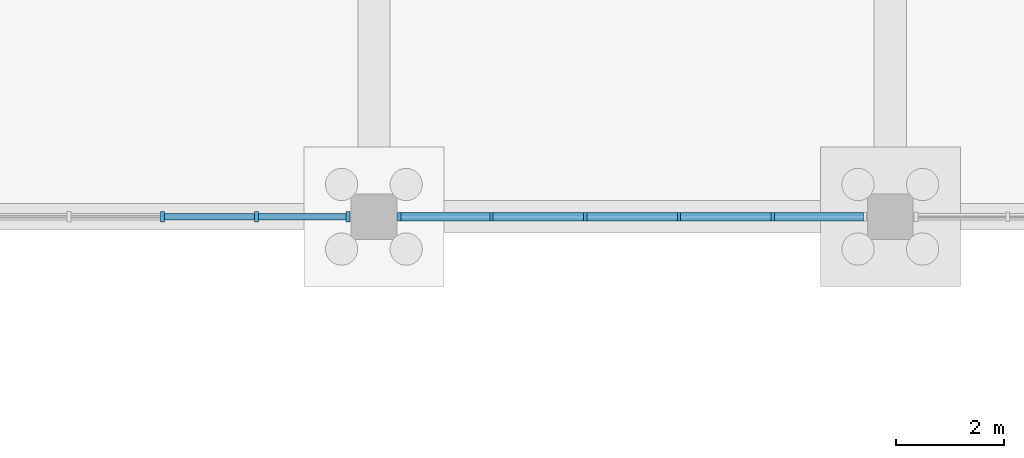
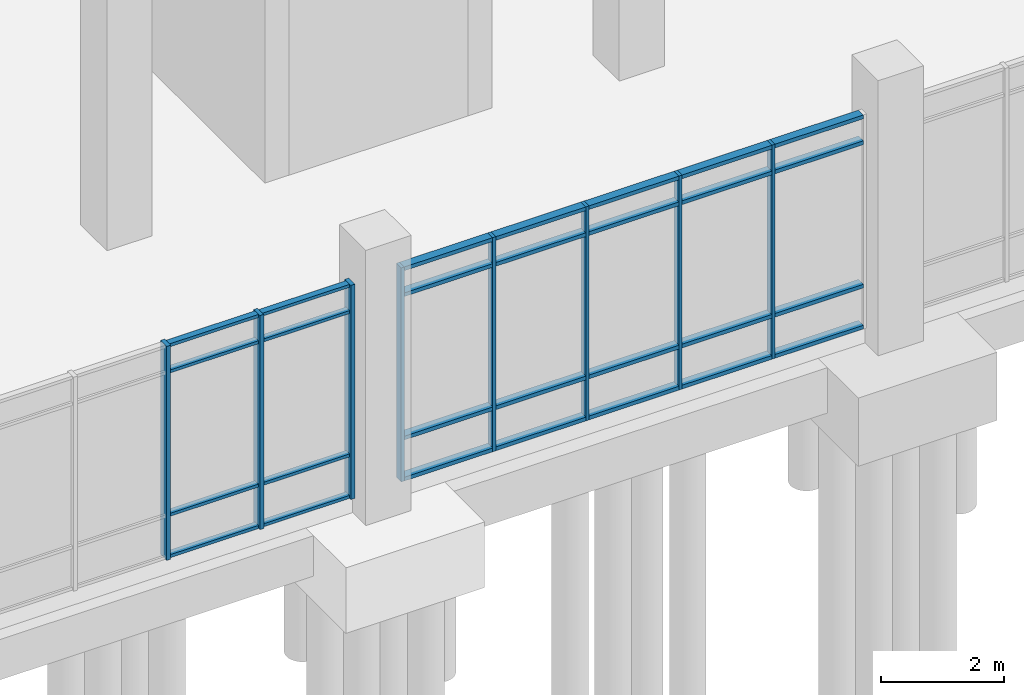
# One storey, part 42 of 136: 36 members, 2 elements without a shape of their own.
"""IFC4 building model written with IfcOpenShell, lengths in metres."""

import ifcopenshell
import ifcopenshell.guid

model = None  # the IFC model being written
_history = None  # IfcOwnerHistory: only IFC2X3 demands one
_inside = {}  # id of a spatial element -> (the spatial element, [elements in it])
_under = {}  # id of a project, library or spatial element -> (it, [spatial elements below it])
_declared = {}  # id of a project -> (the project, [libraries it declares])
_typed = {}  # id of a type object -> (the type object, [elements of that type])
_made_of = {}  # id of a material, layer set ... -> (it, [elements and type objects made of it])


def new_model(schema):
    """Start an empty IFC model of exactly this schema.

    Asked for "IFC4X3", IfcOpenShell would pick the latest addendum, in which some entities
    have other attributes; the version numbers below select the first issue.
    IFC2X3 requires an IfcOwnerHistory on every rooted entity: one is made here for all.
    """
    global model, _history
    if schema == "IFC4X3":
        model = ifcopenshell.file(schema_version=(4, 3, 0, 0))
    else:
        model = ifcopenshell.file(schema=schema)
    _inside.clear()
    _under.clear()
    _declared.clear()
    _typed.clear()
    _made_of.clear()
    _history = None
    if model.schema == "IFC2X3":
        org = make("IfcOrganization", Name="unknown")
        user = make(
            "IfcPersonAndOrganization",
            ThePerson=make("IfcPerson", FamilyName="unknown"),
            TheOrganization=org,
        )
        app = make(
            "IfcApplication",
            ApplicationDeveloper=org,
            Version="unknown",
            ApplicationFullName="unknown",
            ApplicationIdentifier="unknown",
        )
        _history = make(
            "IfcOwnerHistory",
            OwningUser=user,
            OwningApplication=app,
            ChangeAction="ADDED",
            CreationDate=0,
        )
    return model


def make(cls, **values):
    """One entity of the class cls with the attributes given. An attribute that is None is left unset."""
    return model.create_entity(
        cls, **{name: value for name, value in values.items() if value is not None}
    )


def rooted(cls, **values):
    """An entity with a GlobalId (a new one), such as an element, a storey or a relation."""
    return make(cls, GlobalId=ifcopenshell.guid.new(), OwnerHistory=_history, **values)


def si_unit(unit_type, name, prefix=None):
    """IfcSIUnit, for example si_unit("LENGTHUNIT", "METRE", prefix="MILLI")."""
    return make("IfcSIUnit", UnitType=unit_type, Prefix=prefix, Name=name)


def assignment(units):
    """IfcUnitAssignment: the units of a project."""
    return None if units is None else make("IfcUnitAssignment", Units=units)


def point(xyz):
    """IfcCartesianPoint."""
    return None if xyz is None else make("IfcCartesianPoint", Coordinates=xyz)


def direction(xyz):
    """IfcDirection."""
    return None if xyz is None else make("IfcDirection", DirectionRatios=xyz)


def frame(location, z_axis=None, x_axis=None):
    """IfcAxis2Placement3D, a coordinate frame: its origin and axes. An axis left out is left unset."""
    return make(
        "IfcAxis2Placement3D",
        Location=point(location),
        Axis=direction(z_axis),
        RefDirection=direction(x_axis),
    )


def frame_2d(location, x_axis=None):
    """IfcAxis2Placement2D, a coordinate frame in the plane: its origin and x axis."""
    return make(
        "IfcAxis2Placement2D", Location=point(location), RefDirection=direction(x_axis)
    )


def origin():
    """The frame at (0, 0, 0) with its axes left unset."""
    return frame((0.0, 0.0, 0.0))


def origin_2d():
    """The frame at (0, 0) in the plane with its x axis left unset."""
    return frame_2d((0.0, 0.0))


def place(relative_to, where):
    """IfcLocalPlacement: puts the frame where relative to a parent placement (None: the world)."""
    return make(
        "IfcLocalPlacement", PlacementRelTo=relative_to, RelativePlacement=where
    )


def context(
    kind, dimensions, precision=None, world=None, true_north=None, identifier=None
):
    """IfcGeometricRepresentationContext, for example the 3D "Model" context."""
    return make(
        "IfcGeometricRepresentationContext",
        ContextIdentifier=identifier,
        ContextType=kind,
        CoordinateSpaceDimension=dimensions,
        Precision=precision,
        WorldCoordinateSystem=world,
        TrueNorth=true_north,
    )


def subcontext(parent, identifier, kind, view, scale=None):
    """IfcGeometricRepresentationSubContext, for example "Body" below "Model"."""
    return make(
        "IfcGeometricRepresentationSubContext",
        ContextIdentifier=identifier,
        ContextType=kind,
        ParentContext=parent,
        TargetScale=scale,
        TargetView=view,
    )


def project(units=None, contexts=None):
    """IfcProject with its units and contexts."""
    return rooted(
        "IfcProject",
        Name="project",
        RepresentationContexts=contexts,
        UnitsInContext=assignment(units),
    )


def spatial(cls, under=None, at=None, **own):
    """A site, building, storey or space (cls), placed at a placement, below another one or the project."""
    s = rooted(cls, ObjectPlacement=at, **own)
    if under is not None:
        _under.setdefault(under.id(), (under, []))[1].append(s)
    return s


def profile(cls, at=None, kind="AREA", **sizes):
    """A parametric profile (cls). Its sizes go by their IFC names, for example OverallWidth=200.0."""
    return make(cls, ProfileType=kind, Position=at, **sizes)


def rectangle(**sizes):
    """IfcRectangleProfileDef."""
    return profile("IfcRectangleProfileDef", **sizes)


def extrude(swept, where, along, depth):
    """IfcExtrudedAreaSolid: the profile swept, set in the frame where, extruded along a direction by depth."""
    return make(
        "IfcExtrudedAreaSolid",
        SweptArea=swept,
        Position=where,
        ExtrudedDirection=direction(along),
        Depth=depth,
    )


def shape(context_of_items, identifier, shape_type, items):
    """IfcShapeRepresentation: the items that make up one representation, for example the "Body"."""
    return make(
        "IfcShapeRepresentation",
        ContextOfItems=context_of_items,
        RepresentationIdentifier=identifier,
        RepresentationType=shape_type,
        Items=items,
    )


def material(Name=None, Category=None):
    """IfcMaterial."""
    return make("IfcMaterial", Name=Name, Category=Category)


def material_profile(
    of_material, cross_section, Name=None, Category=None, Priority=None
):
    """IfcMaterialProfile: a cross section and its material."""
    return make(
        "IfcMaterialProfile",
        Name=Name,
        Material=of_material,
        Profile=cross_section,
        Priority=Priority,
        Category=Category,
    )


def profile_set(profiles, Name=None, composite=None):
    """IfcMaterialProfileSet."""
    return make(
        "IfcMaterialProfileSet",
        Name=Name,
        MaterialProfiles=profiles,
        CompositeProfile=composite,
    )


def made_of(thing, what):
    """Note that an element or type object is made of a material, layer set ...; save() writes the relation."""
    if what is not None:
        _made_of.setdefault(what.id(), (what, []))[1].append(thing)
    return thing


def type_object(cls, material=None, **own):
    """A type object (cls), such as IfcWallType, which elements share."""
    return made_of(rooted(cls, **own), material)


def element(
    cls,
    number,
    at=None,
    inside=None,
    cuts=None,
    type_object=None,
    material=None,
    context=None,
    identifier="Body",
    shape_type=None,
    held_by="IfcProductDefinitionShape",
    body=None,
    shapes=None,
    **own,
):
    """One element of the class cls, such as IfcWall. Its Tag is "e" and its number.

    at: its placement. inside: the storey or other place that contains it. cuts: it is an
    opening in that element (IfcRelVoidsElement). A single representation is given by context,
    identifier, shape_type and body (its items); several are given by shapes. held_by: the class
    of the entity that holds the representations. save() writes the other relations.
    """
    e = rooted(cls, Tag="e%d" % number, ObjectPlacement=at, **own)
    if body is not None:
        shapes = [shape(context, identifier, shape_type, body)]
    if shapes is not None:
        e.Representation = make(held_by, Representations=shapes)
    if inside is not None:
        _inside.setdefault(inside.id(), (inside, []))[1].append(e)
    if cuts is not None:
        rooted(
            "IfcRelVoidsElement", RelatingBuildingElement=cuts, RelatedOpeningElement=e
        )
    if type_object is not None:
        _typed.setdefault(type_object.id(), (type_object, []))[1].append(e)
    return made_of(e, material)


def aggregate(whole, parts):
    """IfcRelAggregates: a whole, such as a stair, and the parts it consists of."""
    return rooted("IfcRelAggregates", RelatingObject=whole, RelatedObjects=parts)


def save(model, path):
    """Write the relations noted so far, then the file.

    IfcRelAggregates (storeys below a building ...), IfcRelContainedInSpatialStructure (elements
    in a storey), IfcRelDefinesByType, IfcRelAssociatesMaterial and IfcRelDeclares: one each for
    every whole, place, type object, material and project.
    """
    for whole, parts in _under.values():
        aggregate(whole, parts)
    for where, things in _inside.values():
        rooted(
            "IfcRelContainedInSpatialStructure",
            RelatedElements=things,
            RelatingStructure=where,
        )
    for kind, things in _typed.values():
        rooted("IfcRelDefinesByType", RelatedObjects=things, RelatingType=kind)
    for what, things in _made_of.values():
        rooted("IfcRelAssociatesMaterial", RelatedObjects=things, RelatingMaterial=what)
    for by, libraries in _declared.values():
        rooted("IfcRelDeclares", RelatingContext=by, RelatedDefinitions=libraries)
    model.write(path)


model = new_model("IFC4")

# Units and contexts
model_context = context("Model", 3, precision=1e-05, world=origin(), true_north=direction((0.0, 1.0)))
body_context = subcontext(model_context, "Body", "Model", "MODEL_VIEW")
ifc_project = project(units=[si_unit("LENGTHUNIT", "METRE"), si_unit("AREAUNIT", "SQUARE_METRE"), si_unit("VOLUMEUNIT", "CUBIC_METRE"), si_unit("PLANEANGLEUNIT", "RADIAN"), si_unit("MASSUNIT", "GRAM", prefix="KILO")], contexts=[model_context])

# Site, building, storey
site_placement = place(None, origin())
site = spatial("IfcSite", under=ifc_project, at=site_placement, CompositionType="ELEMENT")
building_placement = place(site_placement, origin())
building = spatial("IfcBuilding", under=site, at=building_placement, Name="Oolite Switchyard Hospital", CompositionType="ELEMENT")
storey_placement = place(building_placement, origin())
storey = spatial("IfcBuildingStorey", under=building, at=storey_placement, Name="L00", CompositionType="ELEMENT", Elevation=0.0)

# Curtain wall, members
ifc_material_1 = material(Name="Thermally broken aluminum frame with laminated impact glazing", Category="aluminium")
curtain_wall_type = type_object("IfcCurtainWallType", Name="CW-UNIT-96X51", PredefinedType="USERDEFINED", material=ifc_material_1)
curtain_wall_1_placement = place(storey_placement, origin())
curtain_wall_1 = element("IfcCurtainWall", 1, at=curtain_wall_1_placement, inside=storey, type_object=curtain_wall_type, Name="L00 Unitised Curtain Wall 33", ObjectType="UNITISED", PredefinedType="USERDEFINED")
ifc_material_2 = material(Name="Aluminium 6063-T6", Category="aluminium")
ifc_material_profile_1 = material_profile(ifc_material_2, rectangle(XDim=0.159912109375, YDim=0.06005859375, at=origin_2d()), Name="CWM60X160")
ifc_profile_set_1 = profile_set([ifc_material_profile_1], Name="Aluminium 6063-T6")
member_type_1 = type_object("IfcMemberType", Name="CW-MUL-180", PredefinedType="MULLION", material=ifc_profile_set_1)
member_1_placement = place(storey_placement, frame((93.81591796875, 84.0, 0.0), z_axis=(0.0, 0.0, 1.0), x_axis=(0.0, -1.0, 0.0)))
member_1 = element("IfcMember", 2, at=member_1_placement, type_object=member_type_1, Name="CW-01 mullion 2", PredefinedType="MULLION", context=body_context, shape_type="SweptSolid", body=[
    extrude(rectangle(XDim=0.159912109375, YDim=0.06005859375, at=origin_2d()), origin(), (0.0, 0.0, 1.0), 4.239990234375),
])
member_2_placement = place(storey_placement, frame((92.072021484375, 84.0, 0.0), z_axis=(0.0, 0.0, 1.0), x_axis=(0.0, -1.0, 0.0)))
member_2 = element("IfcMember", 3, at=member_2_placement, type_object=member_type_1, Name="CW-01 mullion 3", PredefinedType="MULLION", context=body_context, shape_type="SweptSolid", body=[
    extrude(rectangle(XDim=0.159912109375, YDim=0.06005859375, at=origin_2d()), origin(), (0.0, 0.0, 1.0), 4.239990234375),
])
member_3_placement = place(storey_placement, frame((90.327880859375, 84.0, 0.0), z_axis=(0.0, 0.0, 1.0), x_axis=(0.0, -1.0, 0.0)))
member_3 = element("IfcMember", 4, at=member_3_placement, type_object=member_type_1, Name="CW-01 mullion 4", PredefinedType="MULLION", context=body_context, shape_type="SweptSolid", body=[
    extrude(rectangle(XDim=0.159912109375, YDim=0.06005859375, at=origin_2d()), origin(), (0.0, 0.0, 1.0), 4.239990234375),
])
member_4_placement = place(storey_placement, frame((88.583984375, 84.0, 0.0), z_axis=(0.0, 0.0, 1.0), x_axis=(0.0, -1.0, 0.0)))
member_4 = element("IfcMember", 5, at=member_4_placement, type_object=member_type_1, Name="CW-01 mullion 5", PredefinedType="MULLION", context=body_context, shape_type="SweptSolid", body=[
    extrude(rectangle(XDim=0.159912109375, YDim=0.06005859375, at=origin_2d()), origin(), (0.0, 0.0, 1.0), 4.239990234375),
])
member_5_placement = place(storey_placement, frame((86.8701171875, 84.0, 0.0), z_axis=(0.0, 0.0, 1.0), x_axis=(0.0, -1.0, 0.0)))
member_5 = element("IfcMember", 6, at=member_5_placement, type_object=member_type_1, Name="CW-01 mullion 6", PredefinedType="MULLION", context=body_context, shape_type="SweptSolid", body=[
    extrude(rectangle(XDim=0.159912109375, YDim=0.06005859375, at=origin_2d()), origin(), (0.0, 0.0, 1.0), 4.239990234375),
])

curtain_wall_2_placement = place(storey_placement, origin())
curtain_wall_2 = element("IfcCurtainWall", 7, at=curtain_wall_2_placement, inside=storey, type_object=curtain_wall_type, Name="L00 Unitised Curtain Wall 32", ObjectType="UNITISED", PredefinedType="USERDEFINED")
ifc_material_profile_2 = material_profile(ifc_material_2, rectangle(XDim=0.199951171875, YDim=0.074951171875, at=origin_2d()), Name="CWM75X200")
ifc_profile_set_2 = profile_set([ifc_material_profile_2], Name="Aluminium 6063-T6")
member_type_2 = type_object("IfcMemberType", Name="CW-MUL-260", PredefinedType="MULLION", material=ifc_profile_set_2)
member_6_placement = place(storey_placement, frame((85.922607421875, 84.0, 0.0), z_axis=(0.0, 0.0, 1.0), x_axis=(0.0, -1.0, 0.0)))
member_6 = element("IfcMember", 8, at=member_6_placement, type_object=member_type_2, Name="CW-01 mullion 1", PredefinedType="MULLION", context=body_context, shape_type="SweptSolid", body=[
    extrude(rectangle(XDim=0.199951171875, YDim=0.074951171875, at=origin_2d()), origin(), (0.0, 0.0, 1.0), 4.239990234375),
])
member_7_placement = place(storey_placement, frame((84.216064453125, 84.0, 0.0), z_axis=(0.0, 0.0, 1.0), x_axis=(0.0, -1.0, 0.0)))
member_7 = element("IfcMember", 9, at=member_7_placement, type_object=member_type_2, Name="CW-01 mullion 2", PredefinedType="MULLION", context=body_context, shape_type="SweptSolid", body=[
    extrude(rectangle(XDim=0.199951171875, YDim=0.074951171875, at=origin_2d()), origin(), (0.0, 0.0, 1.0), 4.239990234375),
])
member_8_placement = place(storey_placement, frame((82.471923828125, 84.0, 0.0), z_axis=(0.0, 0.0, 1.0), x_axis=(0.0, -1.0, 0.0)))
member_8 = element("IfcMember", 10, at=member_8_placement, type_object=member_type_2, Name="CW-01 mullion 3", PredefinedType="MULLION", context=body_context, shape_type="SweptSolid", body=[
    extrude(rectangle(XDim=0.199951171875, YDim=0.074951171875, at=origin_2d()), origin(), (0.0, 0.0, 1.0), 4.239990234375),
])
ifc_material_profile_3 = material_profile(ifc_material_2, rectangle(XDim=0.1201171875, YDim=0.06005859375, at=origin_2d()), Name="CWT60X120")
ifc_profile_set_3 = profile_set([ifc_material_profile_3], Name="Aluminium 6063-T6")
member_type_3 = type_object("IfcMemberType", Name="CW-TRN-150", PredefinedType="USERDEFINED", material=ifc_profile_set_3)
member_9_placement = place(storey_placement, frame((85.885009765625, 84.0, 0.030029296875), z_axis=(-1.0, 0.0, 0.0), x_axis=(0.0, -1.0, 0.0)))
member_9 = element("IfcMember", 11, at=member_9_placement, type_object=member_type_3, Name="CW-01 transom 1.1", ObjectType="TRANSOM", PredefinedType="USERDEFINED", context=body_context, shape_type="SweptSolid", body=[
    extrude(rectangle(XDim=0.1201171875, YDim=0.06005859375, at=origin_2d()), origin(), (0.0, 0.0, 1.0), 1.631591796875),
])
member_10_placement = place(storey_placement, frame((85.885009765625, 84.0, 0.85009765625), z_axis=(-1.0, 0.0, 0.0), x_axis=(0.0, -1.0, 0.0)))
member_10 = element("IfcMember", 12, at=member_10_placement, type_object=member_type_3, Name="CW-01 transom 1.2", ObjectType="TRANSOM", PredefinedType="USERDEFINED", context=body_context, shape_type="SweptSolid", body=[
    extrude(rectangle(XDim=0.1201171875, YDim=0.06005859375, at=origin_2d()), origin(), (0.0, 0.0, 1.0), 1.631591796875),
])
member_11_placement = place(storey_placement, frame((85.885009765625, 84.0, 3.68994140625), z_axis=(-1.0, 0.0, 0.0), x_axis=(0.0, -1.0, 0.0)))
member_11 = element("IfcMember", 13, at=member_11_placement, type_object=member_type_3, Name="CW-01 transom 1.3", ObjectType="TRANSOM", PredefinedType="USERDEFINED", context=body_context, shape_type="SweptSolid", body=[
    extrude(rectangle(XDim=0.1201171875, YDim=0.06005859375, at=origin_2d()), origin(), (0.0, 0.0, 1.0), 1.631591796875),
])
member_12_placement = place(storey_placement, frame((85.885009765625, 84.0, 4.2099609375), z_axis=(-1.0, 0.0, 0.0), x_axis=(0.0, -1.0, 0.0)))
member_12 = element("IfcMember", 14, at=member_12_placement, type_object=member_type_3, Name="CW-01 transom 1.4", ObjectType="TRANSOM", PredefinedType="USERDEFINED", context=body_context, shape_type="SweptSolid", body=[
    extrude(rectangle(XDim=0.1201171875, YDim=0.06005859375, at=origin_2d()), origin(), (0.0, 0.0, 1.0), 1.631591796875),
])
member_13_placement = place(storey_placement, frame((84.178466796875, 84.0, 0.030029296875), z_axis=(-1.0, 0.0, 0.0), x_axis=(0.0, -1.0, 0.0)))
member_13 = element("IfcMember", 15, at=member_13_placement, type_object=member_type_3, Name="CW-01 transom 2.1", ObjectType="TRANSOM", PredefinedType="USERDEFINED", context=body_context, shape_type="SweptSolid", body=[
    extrude(rectangle(XDim=0.1201171875, YDim=0.06005859375, at=origin_2d()), origin(), (0.0, 0.0, 1.0), 1.6689453125),
])
member_14_placement = place(storey_placement, frame((84.178466796875, 84.0, 0.85009765625), z_axis=(-1.0, 0.0, 0.0), x_axis=(0.0, -1.0, 0.0)))
member_14 = element("IfcMember", 16, at=member_14_placement, type_object=member_type_3, Name="CW-01 transom 2.2", ObjectType="TRANSOM", PredefinedType="USERDEFINED", context=body_context, shape_type="SweptSolid", body=[
    extrude(rectangle(XDim=0.1201171875, YDim=0.06005859375, at=origin_2d()), origin(), (0.0, 0.0, 1.0), 1.6689453125),
])
member_15_placement = place(storey_placement, frame((84.178466796875, 84.0, 3.68994140625), z_axis=(-1.0, 0.0, 0.0), x_axis=(0.0, -1.0, 0.0)))
member_15 = element("IfcMember", 17, at=member_15_placement, type_object=member_type_3, Name="CW-01 transom 2.3", ObjectType="TRANSOM", PredefinedType="USERDEFINED", context=body_context, shape_type="SweptSolid", body=[
    extrude(rectangle(XDim=0.1201171875, YDim=0.06005859375, at=origin_2d()), origin(), (0.0, 0.0, 1.0), 1.6689453125),
])
member_16_placement = place(storey_placement, frame((84.178466796875, 84.0, 4.2099609375), z_axis=(-1.0, 0.0, 0.0), x_axis=(0.0, -1.0, 0.0)))
member_16 = element("IfcMember", 18, at=member_16_placement, type_object=member_type_3, Name="CW-01 transom 2.4", ObjectType="TRANSOM", PredefinedType="USERDEFINED", context=body_context, shape_type="SweptSolid", body=[
    extrude(rectangle(XDim=0.1201171875, YDim=0.06005859375, at=origin_2d()), origin(), (0.0, 0.0, 1.0), 1.6689453125),
])
aggregate(curtain_wall_2, [member_6, member_7, member_8, member_9, member_10, member_11, member_12, member_13, member_14, member_15, member_16])

# Member
ifc_material_profile_4 = material_profile(ifc_material_2, rectangle(XDim=0.159912109375, YDim=0.074951171875, at=origin_2d()), Name="CWT75X160")
ifc_profile_set_4 = profile_set([ifc_material_profile_4], Name="Aluminium 6063-T6")
member_type_4 = type_object("IfcMemberType", Name="CW-TRN-180", PredefinedType="USERDEFINED", material=ifc_profile_set_4)
member_17_placement = place(storey_placement, frame((95.5, 84.0, 0.03759765625), z_axis=(-1.0, 0.0, 0.0), x_axis=(0.0, -1.0, 0.0)))
member_17 = element("IfcMember", 19, at=member_17_placement, type_object=member_type_4, Name="CW-01 transom 1.1", ObjectType="TRANSOM", PredefinedType="USERDEFINED", context=body_context, shape_type="SweptSolid", body=[
    extrude(rectangle(XDim=0.159912109375, YDim=0.074951171875, at=origin_2d()), origin(), (0.0, 0.0, 1.0), 1.654052734375),
])

member_18_placement = place(storey_placement, frame((95.5, 84.0, 0.85009765625), z_axis=(-1.0, 0.0, 0.0), x_axis=(0.0, -1.0, 0.0)))
member_18 = element("IfcMember", 20, at=member_18_placement, type_object=member_type_4, Name="CW-01 transom 1.2", ObjectType="TRANSOM", PredefinedType="USERDEFINED", context=body_context, shape_type="SweptSolid", body=[
    extrude(rectangle(XDim=0.159912109375, YDim=0.074951171875, at=origin_2d()), origin(), (0.0, 0.0, 1.0), 1.654052734375),
])

member_19_placement = place(storey_placement, frame((95.5, 84.0, 3.68994140625), z_axis=(-1.0, 0.0, 0.0), x_axis=(0.0, -1.0, 0.0)))
member_19 = element("IfcMember", 21, at=member_19_placement, type_object=member_type_4, Name="CW-01 transom 1.3", ObjectType="TRANSOM", PredefinedType="USERDEFINED", context=body_context, shape_type="SweptSolid", body=[
    extrude(rectangle(XDim=0.159912109375, YDim=0.074951171875, at=origin_2d()), origin(), (0.0, 0.0, 1.0), 1.654052734375),
])

member_20_placement = place(storey_placement, frame((95.5, 84.0, 4.202392578125), z_axis=(-1.0, 0.0, 0.0), x_axis=(0.0, -1.0, 0.0)))
member_20 = element("IfcMember", 22, at=member_20_placement, type_object=member_type_4, Name="CW-01 transom 1.4", ObjectType="TRANSOM", PredefinedType="USERDEFINED", context=body_context, shape_type="SweptSolid", body=[
    extrude(rectangle(XDim=0.159912109375, YDim=0.074951171875, at=origin_2d()), origin(), (0.0, 0.0, 1.0), 1.654052734375),
])

member_21_placement = place(storey_placement, frame((93.785888671875, 84.0, 0.03759765625), z_axis=(-1.0, 0.0, 0.0), x_axis=(0.0, -1.0, 0.0)))
member_21 = element("IfcMember", 23, at=member_21_placement, type_object=member_type_4, Name="CW-01 transom 2.1", ObjectType="TRANSOM", PredefinedType="USERDEFINED", context=body_context, shape_type="SweptSolid", body=[
    extrude(rectangle(XDim=0.159912109375, YDim=0.074951171875, at=origin_2d()), origin(), (0.0, 0.0, 1.0), 1.683837890625),
])

member_22_placement = place(storey_placement, frame((93.785888671875, 84.0, 0.85009765625), z_axis=(-1.0, 0.0, 0.0), x_axis=(0.0, -1.0, 0.0)))
member_22 = element("IfcMember", 24, at=member_22_placement, type_object=member_type_4, Name="CW-01 transom 2.2", ObjectType="TRANSOM", PredefinedType="USERDEFINED", context=body_context, shape_type="SweptSolid", body=[
    extrude(rectangle(XDim=0.159912109375, YDim=0.074951171875, at=origin_2d()), origin(), (0.0, 0.0, 1.0), 1.683837890625),
])

member_23_placement = place(storey_placement, frame((93.785888671875, 84.0, 3.68994140625), z_axis=(-1.0, 0.0, 0.0), x_axis=(0.0, -1.0, 0.0)))
member_23 = element("IfcMember", 25, at=member_23_placement, type_object=member_type_4, Name="CW-01 transom 2.3", ObjectType="TRANSOM", PredefinedType="USERDEFINED", context=body_context, shape_type="SweptSolid", body=[
    extrude(rectangle(XDim=0.159912109375, YDim=0.074951171875, at=origin_2d()), origin(), (0.0, 0.0, 1.0), 1.683837890625),
])

member_24_placement = place(storey_placement, frame((93.785888671875, 84.0, 4.202392578125), z_axis=(-1.0, 0.0, 0.0), x_axis=(0.0, -1.0, 0.0)))
member_24 = element("IfcMember", 26, at=member_24_placement, type_object=member_type_4, Name="CW-01 transom 2.4", ObjectType="TRANSOM", PredefinedType="USERDEFINED", context=body_context, shape_type="SweptSolid", body=[
    extrude(rectangle(XDim=0.159912109375, YDim=0.074951171875, at=origin_2d()), origin(), (0.0, 0.0, 1.0), 1.683837890625),
])

member_25_placement = place(storey_placement, frame((92.0419921875, 84.0, 0.03759765625), z_axis=(-1.0, 0.0, 0.0), x_axis=(0.0, -1.0, 0.0)))
member_25 = element("IfcMember", 27, at=member_25_placement, type_object=member_type_4, Name="CW-01 transom 3.1", ObjectType="TRANSOM", PredefinedType="USERDEFINED", context=body_context, shape_type="SweptSolid", body=[
    extrude(rectangle(XDim=0.159912109375, YDim=0.074951171875, at=origin_2d()), origin(), (0.0, 0.0, 1.0), 1.68408203125),
])

member_26_placement = place(storey_placement, frame((92.0419921875, 84.0, 0.85009765625), z_axis=(-1.0, 0.0, 0.0), x_axis=(0.0, -1.0, 0.0)))
member_26 = element("IfcMember", 28, at=member_26_placement, type_object=member_type_4, Name="CW-01 transom 3.2", ObjectType="TRANSOM", PredefinedType="USERDEFINED", context=body_context, shape_type="SweptSolid", body=[
    extrude(rectangle(XDim=0.159912109375, YDim=0.074951171875, at=origin_2d()), origin(), (0.0, 0.0, 1.0), 1.68408203125),
])

member_27_placement = place(storey_placement, frame((92.0419921875, 84.0, 3.68994140625), z_axis=(-1.0, 0.0, 0.0), x_axis=(0.0, -1.0, 0.0)))
member_27 = element("IfcMember", 29, at=member_27_placement, type_object=member_type_4, Name="CW-01 transom 3.3", ObjectType="TRANSOM", PredefinedType="USERDEFINED", context=body_context, shape_type="SweptSolid", body=[
    extrude(rectangle(XDim=0.159912109375, YDim=0.074951171875, at=origin_2d()), origin(), (0.0, 0.0, 1.0), 1.68408203125),
])

member_28_placement = place(storey_placement, frame((92.0419921875, 84.0, 4.202392578125), z_axis=(-1.0, 0.0, 0.0), x_axis=(0.0, -1.0, 0.0)))
member_28 = element("IfcMember", 30, at=member_28_placement, type_object=member_type_4, Name="CW-01 transom 3.4", ObjectType="TRANSOM", PredefinedType="USERDEFINED", context=body_context, shape_type="SweptSolid", body=[
    extrude(rectangle(XDim=0.159912109375, YDim=0.074951171875, at=origin_2d()), origin(), (0.0, 0.0, 1.0), 1.68408203125),
])

member_29_placement = place(storey_placement, frame((90.298095703125, 84.0, 0.03759765625), z_axis=(-1.0, 0.0, 0.0), x_axis=(0.0, -1.0, 0.0)))
member_29 = element("IfcMember", 31, at=member_29_placement, type_object=member_type_4, Name="CW-01 transom 4.1", ObjectType="TRANSOM", PredefinedType="USERDEFINED", context=body_context, shape_type="SweptSolid", body=[
    extrude(rectangle(XDim=0.159912109375, YDim=0.074951171875, at=origin_2d()), origin(), (0.0, 0.0, 1.0), 1.68408203125),
])

member_30_placement = place(storey_placement, frame((90.298095703125, 84.0, 0.85009765625), z_axis=(-1.0, 0.0, 0.0), x_axis=(0.0, -1.0, 0.0)))
member_30 = element("IfcMember", 32, at=member_30_placement, type_object=member_type_4, Name="CW-01 transom 4.2", ObjectType="TRANSOM", PredefinedType="USERDEFINED", context=body_context, shape_type="SweptSolid", body=[
    extrude(rectangle(XDim=0.159912109375, YDim=0.074951171875, at=origin_2d()), origin(), (0.0, 0.0, 1.0), 1.68408203125),
])

member_31_placement = place(storey_placement, frame((90.298095703125, 84.0, 3.68994140625), z_axis=(-1.0, 0.0, 0.0), x_axis=(0.0, -1.0, 0.0)))
member_31 = element("IfcMember", 33, at=member_31_placement, type_object=member_type_4, Name="CW-01 transom 4.3", ObjectType="TRANSOM", PredefinedType="USERDEFINED", context=body_context, shape_type="SweptSolid", body=[
    extrude(rectangle(XDim=0.159912109375, YDim=0.074951171875, at=origin_2d()), origin(), (0.0, 0.0, 1.0), 1.68408203125),
])

member_32_placement = place(storey_placement, frame((90.298095703125, 84.0, 4.202392578125), z_axis=(-1.0, 0.0, 0.0), x_axis=(0.0, -1.0, 0.0)))
member_32 = element("IfcMember", 34, at=member_32_placement, type_object=member_type_4, Name="CW-01 transom 4.4", ObjectType="TRANSOM", PredefinedType="USERDEFINED", context=body_context, shape_type="SweptSolid", body=[
    extrude(rectangle(XDim=0.159912109375, YDim=0.074951171875, at=origin_2d()), origin(), (0.0, 0.0, 1.0), 1.68408203125),
])

member_33_placement = place(storey_placement, frame((88.553955078125, 84.0, 0.03759765625), z_axis=(-1.0, 0.0, 0.0), x_axis=(0.0, -1.0, 0.0)))
member_33 = element("IfcMember", 35, at=member_33_placement, type_object=member_type_4, Name="CW-01 transom 5.1", ObjectType="TRANSOM", PredefinedType="USERDEFINED", context=body_context, shape_type="SweptSolid", body=[
    extrude(rectangle(XDim=0.159912109375, YDim=0.074951171875, at=origin_2d()), origin(), (0.0, 0.0, 1.0), 1.654052734375),
])

member_34_placement = place(storey_placement, frame((88.553955078125, 84.0, 0.85009765625), z_axis=(-1.0, 0.0, 0.0), x_axis=(0.0, -1.0, 0.0)))
member_34 = element("IfcMember", 36, at=member_34_placement, type_object=member_type_4, Name="CW-01 transom 5.2", ObjectType="TRANSOM", PredefinedType="USERDEFINED", context=body_context, shape_type="SweptSolid", body=[
    extrude(rectangle(XDim=0.159912109375, YDim=0.074951171875, at=origin_2d()), origin(), (0.0, 0.0, 1.0), 1.654052734375),
])

member_35_placement = place(storey_placement, frame((88.553955078125, 84.0, 3.68994140625), z_axis=(-1.0, 0.0, 0.0), x_axis=(0.0, -1.0, 0.0)))
member_35 = element("IfcMember", 37, at=member_35_placement, type_object=member_type_4, Name="CW-01 transom 5.3", ObjectType="TRANSOM", PredefinedType="USERDEFINED", context=body_context, shape_type="SweptSolid", body=[
    extrude(rectangle(XDim=0.159912109375, YDim=0.074951171875, at=origin_2d()), origin(), (0.0, 0.0, 1.0), 1.654052734375),
])

member_36_placement = place(storey_placement, frame((88.553955078125, 84.0, 4.202392578125), z_axis=(-1.0, 0.0, 0.0), x_axis=(0.0, -1.0, 0.0)))
member_36 = element("IfcMember", 38, at=member_36_placement, type_object=member_type_4, Name="CW-01 transom 5.4", ObjectType="TRANSOM", PredefinedType="USERDEFINED", context=body_context, shape_type="SweptSolid", body=[
    extrude(rectangle(XDim=0.159912109375, YDim=0.074951171875, at=origin_2d()), origin(), (0.0, 0.0, 1.0), 1.654052734375),
])

aggregate(curtain_wall_1, [member_1, member_2, member_3, member_4, member_5, member_17, member_18, member_19, member_20, member_21, member_22, member_23, member_24, member_25, member_26, member_27, member_28, member_29, member_30, member_31, member_32, member_33, member_34, member_35, member_36])

save(model, "model.ifc")
